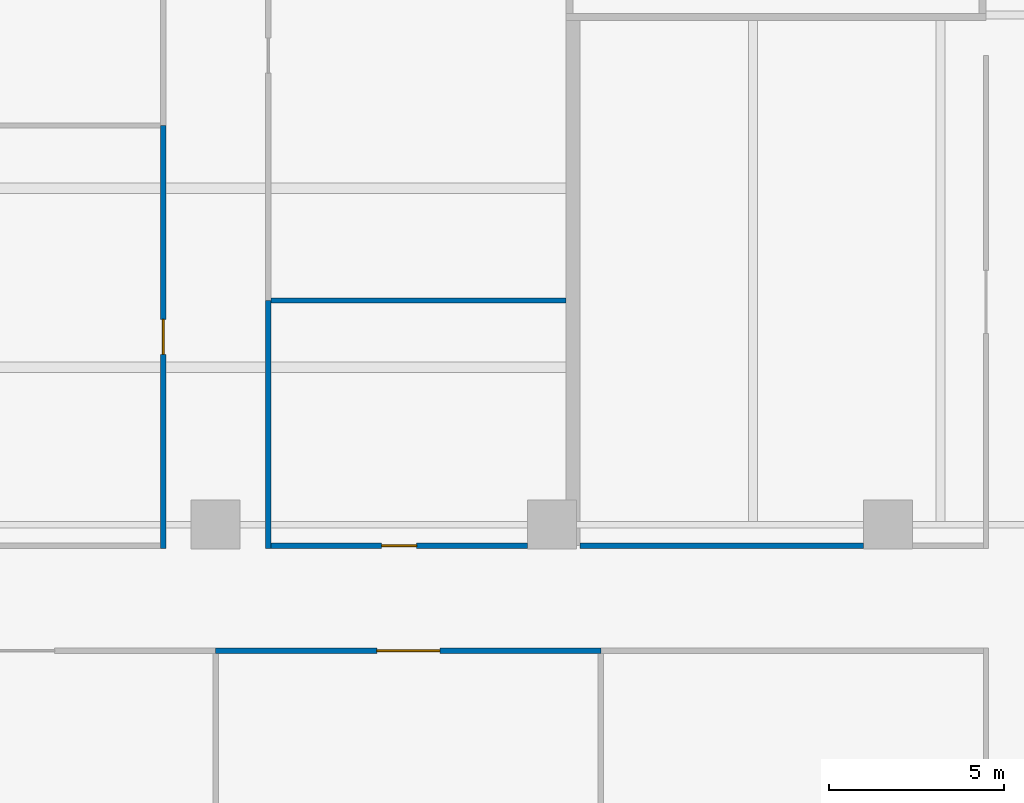
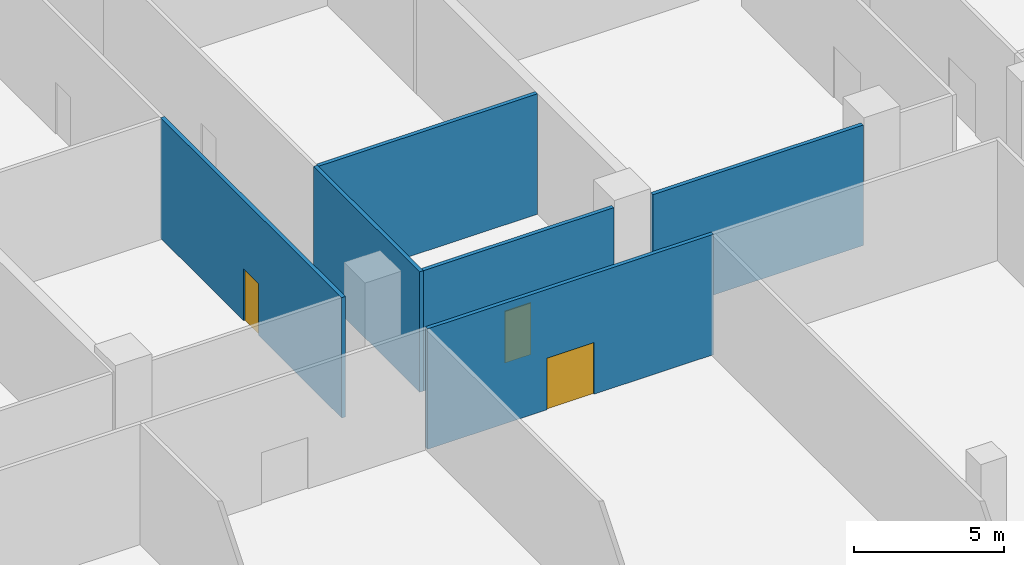
# One storey, part 7 of 15: 6 walls, 3 doors, 3 openings.
"""IFC4 building model written with IfcOpenShell, lengths in metres."""

from ifc_helpers import new_model, si_unit, direction, frame, frame_2d, origin, place, context, subcontext, project, spatial, rectangle, extrude, material, layer, layer_set, type_object, element, fill, save


model = new_model("IFC4")

# Units and contexts
model_context = context("Model", 3, precision=1e-05, world=origin(), true_north=direction((0.0, 1.0)))
body_context = subcontext(model_context, "Body", "Model", "MODEL_VIEW")
ifc_project = project(units=[si_unit("LENGTHUNIT", "METRE"), si_unit("AREAUNIT", "SQUARE_METRE"), si_unit("VOLUMEUNIT", "CUBIC_METRE"), si_unit("PLANEANGLEUNIT", "RADIAN"), si_unit("MASSUNIT", "GRAM", prefix="KILO")], contexts=[model_context])

# Site, building, storey
site_placement = place(None, origin())
site = spatial("IfcSite", under=ifc_project, at=site_placement, CompositionType="ELEMENT")
building_placement = place(site_placement, origin())
building = spatial("IfcBuilding", under=site, at=building_placement, Name="Ogive Exchange Tower", CompositionType="ELEMENT")
storey_placement = place(building_placement, frame((0.0, 0.0, -5.199951171875)))
storey = spatial("IfcBuildingStorey", under=building, at=storey_placement, Name="B1", CompositionType="ELEMENT", Elevation=-5.199951171875)

# Wall, opening, door
ifc_material_1 = material(Name="Fire partition EI 60 150")
ifc_layer = layer(ifc_material_1, 0.14990234375)
ifc_layer_set = layer_set([ifc_layer], Name="Fire partition EI 60 150")
wall_type = type_object("IfcWallType", Name="Fire partition EI 60 150", PredefinedType="PARTITIONING", material=ifc_layer_set)
wall_1_placement = place(storey_placement, frame((0.0, -34.0, 0.0), z_axis=(0.0, 0.0, 1.0), x_axis=(1.0, 0.0, 0.0)))
wall_1 = element("IfcWall", 1, at=wall_1_placement, inside=storey, type_object=wall_type, Name="B1-PWL-006", PredefinedType="PARTITIONING", context=body_context, shape_type="SweptSolid", body=[
    extrude(rectangle(XDim=11.0, YDim=0.14990234375, at=frame_2d((5.5, 0.0))), origin(), (0.0, 0.0, 1.0), 4.89990234375),
])
opening_1_placement = place(wall_1_placement, frame((4.60009765625, 0.0, 0.0)))
opening_1 = element("IfcOpeningElement", 2, at=opening_1_placement, cuts=wall_1, Name="Opening B1-I31", PredefinedType="OPENING", context=body_context, shape_type="SweptSolid", body=[
    extrude(rectangle(XDim=1.800048828125, YDim=2.10009765625, at=frame_2d((0.89990234375, 1.050048828125))), frame((0.0, 0.0849609375, 0.0), z_axis=(0.0, -1.0, 0.0), x_axis=(1.0, 0.0, 0.0)), (0.0, 0.0, 1.0), 0.169921875),
])
ifc_material_2 = material(Name="Fire door FD 30S 1800 x 2100")
door_type_1 = type_object("IfcDoorType", Name="Fire door FD 30S 1800 x 2100", OperationType="DOUBLE_DOOR_SINGLE_SWING", PredefinedType="DOOR", material=ifc_material_2)
door_1_placement = place(opening_1_placement, origin())
door_1 = element("IfcDoor", 3, at=door_1_placement, inside=storey, type_object=door_type_1, Name="B1-IDR-031", ObjectType="DT4", OperationType="SINGLE_SWING_RIGHT", OverallHeight=2.10009765625, OverallWidth=1.800048828125, PredefinedType="DOOR", context=body_context, shape_type="SweptSolid", body=[
    extrude(rectangle(XDim=1.800048828125, YDim=2.10009765625, at=frame_2d((0.89990234375, 1.050048828125))), frame((0.0, 0.02490234375, 0.0), z_axis=(0.0, -1.0, 0.0), x_axis=(1.0, 0.0, 0.0)), (0.0, 0.0, 1.0), 0.050048828125),
])
fill(opening_1, door_1)

wall_2_placement = place(storey_placement, frame((1.574951171875, -31.0, 0.0), z_axis=(0.0, 0.0, 1.0), x_axis=(1.0, 0.0, 0.0)))
wall_2 = element("IfcWall", 4, at=wall_2_placement, inside=storey, type_object=wall_type, Name="B1-PWL-011", PredefinedType="PARTITIONING", context=body_context, shape_type="SweptSolid", body=[
    extrude(rectangle(XDim=7.324951171875, YDim=0.14990234375, at=frame_2d((3.66259765625, 0.0))), origin(), (0.0, 0.0, 1.0), 4.89990234375),
])
opening_2_placement = place(wall_2_placement, frame((3.16259765625, 0.0, 0.0)))
opening_2 = element("IfcOpeningElement", 5, at=opening_2_placement, cuts=wall_2, Name="Opening B1-I24", PredefinedType="OPENING", context=body_context, shape_type="SweptSolid", body=[
    extrude(rectangle(XDim=1.0, YDim=2.10009765625, at=frame_2d((0.5, 1.050048828125))), frame((0.0, 0.0849609375, 0.0), z_axis=(0.0, -1.0, 0.0), x_axis=(1.0, 0.0, 0.0)), (0.0, 0.0, 1.0), 0.169921875),
])
ifc_material_3 = material(Name="Fire door FD 30S 1000 x 2100")
door_type_2 = type_object("IfcDoorType", Name="Fire door FD 30S 1000 x 2100", OperationType="NOTDEFINED", PredefinedType="DOOR", material=ifc_material_3)
door_2_placement = place(opening_2_placement, frame((1.0, 0.0, 0.0), z_axis=(0.0, 0.0, 1.0), x_axis=(-1.0, 0.0, 0.0)))
door_2 = element("IfcDoor", 6, at=door_2_placement, inside=storey, type_object=door_type_2, Name="B1-IDR-024", ObjectType="DT3", OperationType="SINGLE_SWING_LEFT", OverallHeight=2.10009765625, OverallWidth=1.0, PredefinedType="DOOR", context=body_context, shape_type="SweptSolid", body=[
    extrude(rectangle(XDim=1.0, YDim=2.10009765625, at=frame_2d((0.5, 1.050048828125))), frame((0.0, 0.02490234375, 0.0), z_axis=(0.0, -1.0, 0.0), x_axis=(1.0, 0.0, 0.0)), (0.0, 0.0, 1.0), 0.050048828125),
])
fill(opening_2, door_2)

# Walls
wall_3_placement = place(storey_placement, frame((10.39990234375, -31.0, 0.0), z_axis=(0.0, 0.0, 1.0), x_axis=(1.0, 0.0, 0.0)))
element("IfcWall", 7, at=wall_3_placement, inside=storey, type_object=wall_type, Name="B1-PWL-012", PredefinedType="PARTITIONING", context=body_context, shape_type="SweptSolid", body=[
    extrude(rectangle(XDim=8.10009765625, YDim=0.14990234375, at=frame_2d((4.050048828125, 0.0))), origin(), (0.0, 0.0, 1.0), 4.89990234375),
])
wall_4_placement = place(storey_placement, frame((1.574951171875, -24.0, 0.0), z_axis=(0.0, 0.0, 1.0), x_axis=(1.0, 0.0, 0.0)))
element("IfcWall", 8, at=wall_4_placement, inside=storey, type_object=wall_type, Name="B1-PWL-017", PredefinedType="PARTITIONING", context=body_context, shape_type="SweptSolid", body=[
    extrude(rectangle(XDim=8.425048828125, YDim=0.14990234375, at=frame_2d((4.21240234375, 0.0))), origin(), (0.0, 0.0, 1.0), 4.89990234375),
])

# Wall, opening, door
wall_5_placement = place(storey_placement, frame((-1.5, -31.074951171875, 0.0), z_axis=(0.0, 0.0, 1.0), x_axis=(0.0, 1.0, 0.0)))
wall_5 = element("IfcWall", 9, at=wall_5_placement, inside=storey, type_object=wall_type, Name="B1-PWL-054", PredefinedType="PARTITIONING", context=body_context, shape_type="SweptSolid", body=[
    extrude(rectangle(XDim=12.074951171875, YDim=0.14990234375, at=frame_2d((6.03759765625, 0.0))), origin(), (0.0, 0.0, 1.0), 4.89990234375),
])
opening_3_placement = place(wall_5_placement, frame((5.53759765625, 0.0, 0.0)))
opening_3 = element("IfcOpeningElement", 10, at=opening_3_placement, cuts=wall_5, Name="Opening B1-I21", PredefinedType="OPENING", context=body_context, shape_type="SweptSolid", body=[
    extrude(rectangle(XDim=1.0, YDim=2.10009765625, at=frame_2d((0.5, 1.050048828125))), frame((0.0, 0.0849609375, 0.0), z_axis=(0.0, -1.0, 0.0), x_axis=(1.0, 0.0, 0.0)), (0.0, 0.0, 1.0), 0.169921875),
])
door_3_placement = place(opening_3_placement, origin())
door_3 = element("IfcDoor", 11, at=door_3_placement, inside=storey, type_object=door_type_2, Name="B1-IDR-021", ObjectType="DT3", OperationType="SINGLE_SWING_LEFT", OverallHeight=2.10009765625, OverallWidth=1.0, PredefinedType="DOOR", context=body_context, shape_type="SweptSolid", body=[
    extrude(rectangle(XDim=1.0, YDim=2.10009765625, at=frame_2d((0.5, 1.050048828125))), frame((0.0, 0.02490234375, 0.0), z_axis=(0.0, -1.0, 0.0), x_axis=(1.0, 0.0, 0.0)), (0.0, 0.0, 1.0), 0.050048828125),
])
fill(opening_3, door_3)

# Wall
wall_6_placement = place(storey_placement, frame((1.5, -31.074951171875, 0.0), z_axis=(0.0, 0.0, 1.0), x_axis=(0.0, 1.0, 0.0)))
element("IfcWall", 12, at=wall_6_placement, inside=storey, type_object=wall_type, Name="B1-PWL-061", PredefinedType="PARTITIONING", context=body_context, shape_type="SweptSolid", body=[
    extrude(rectangle(XDim=7.074951171875, YDim=0.14990234375, at=frame_2d((3.53759765625, 0.0))), origin(), (0.0, 0.0, 1.0), 4.89990234375),
])

save(model, "model.ifc")
